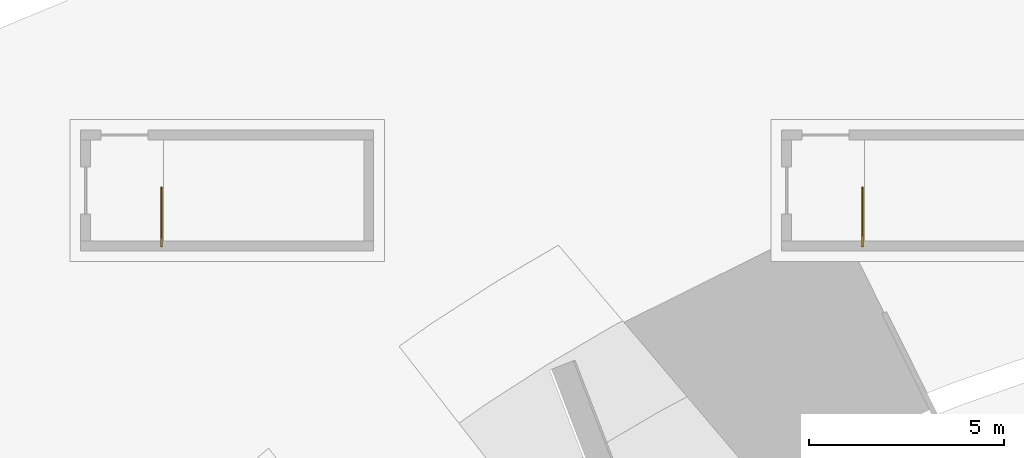
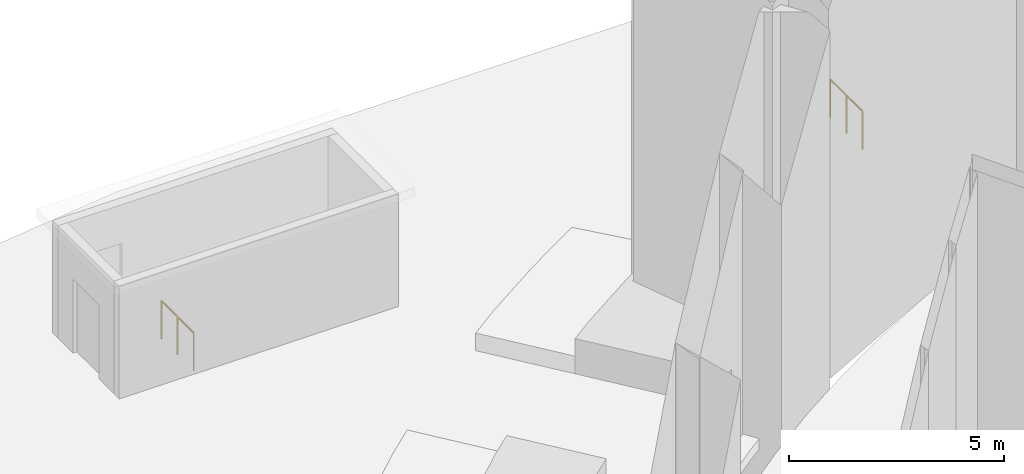
# One storey, part 24 of 25: 2 railings.
"""IFC4 building model written with IfcOpenShell, lengths in metres."""

from ifc_helpers import new_model, si_unit, direction, frame, origin, origin_2d, place, context, subcontext, project, spatial, circle, extrude, source, transform, mapped, material, type_object, element, save


model = new_model("IFC4")

# Units and contexts
model_context = context("Model", 3, precision=1e-05, world=origin(), true_north=direction((0.0, 1.0)))
body_context = subcontext(model_context, "Body", "Model", "MODEL_VIEW")
ifc_project = project(units=[si_unit("LENGTHUNIT", "METRE"), si_unit("AREAUNIT", "SQUARE_METRE"), si_unit("VOLUMEUNIT", "CUBIC_METRE"), si_unit("PLANEANGLEUNIT", "RADIAN"), si_unit("MASSUNIT", "GRAM", prefix="KILO")], contexts=[model_context])

# Site, building, storey
site_placement = place(None, origin())
site = spatial("IfcSite", under=ifc_project, at=site_placement, CompositionType="ELEMENT")
building_placement = place(site_placement, origin())
building = spatial("IfcBuilding", under=site, at=building_placement, Name="Embergate Tower", CompositionType="ELEMENT")
storey_placement = place(building_placement, origin())
storey = spatial("IfcBuildingStorey", under=building, at=storey_placement, Name="L00", CompositionType="ELEMENT", Elevation=0.0)

# Railings
ifc_material = material(Name="Steel", Category="steel")
railing_type = type_object("IfcRailingType", Name="Exit stair guard 1100", PredefinedType="GUARDRAIL", material=ifc_material)
shared_shape = source(origin(), body_context, "Body", "SweptSolid", [
    extrude(circle(Radius=0.02392578125, at=origin_2d()), frame((0.0, 0.0, 1.076171875), z_axis=(0.0, 1.0, 0.0), x_axis=(-1.0, 0.0, 0.0)), (0.0, 0.0, 1.0), 1.5),
    extrude(circle(Radius=0.02099609375, at=origin_2d()), origin(), (0.0, 0.0, 1.0), 1.052001953125),
    extrude(circle(Radius=0.02099609375, at=origin_2d()), frame((0.0, 0.75, 0.0)), (0.0, 0.0, 1.0), 1.052001953125),
    extrude(circle(Radius=0.02099609375, at=origin_2d()), frame((0.0, 1.5, 0.0)), (0.0, 0.0, 1.0), 1.052001953125),
])
for number, where, name in (
    (1, (-20.050048828125, 32.0, 0.0), "L00 XS1 top well guard 1"),
    (2, (-38.050048828125, 32.0, 0.0), "L00 XS2 top well guard 1"),
):
    element("IfcRailing", number, at=place(storey_placement, frame(where)), inside=storey, type_object=railing_type, Name=name, PredefinedType="GUARDRAIL", context=body_context, shape_type="MappedRepresentation", body=[
        mapped(shared_shape, transform((0.0, 0.0, 0.0))),
    ])

save(model, "model.ifc")
